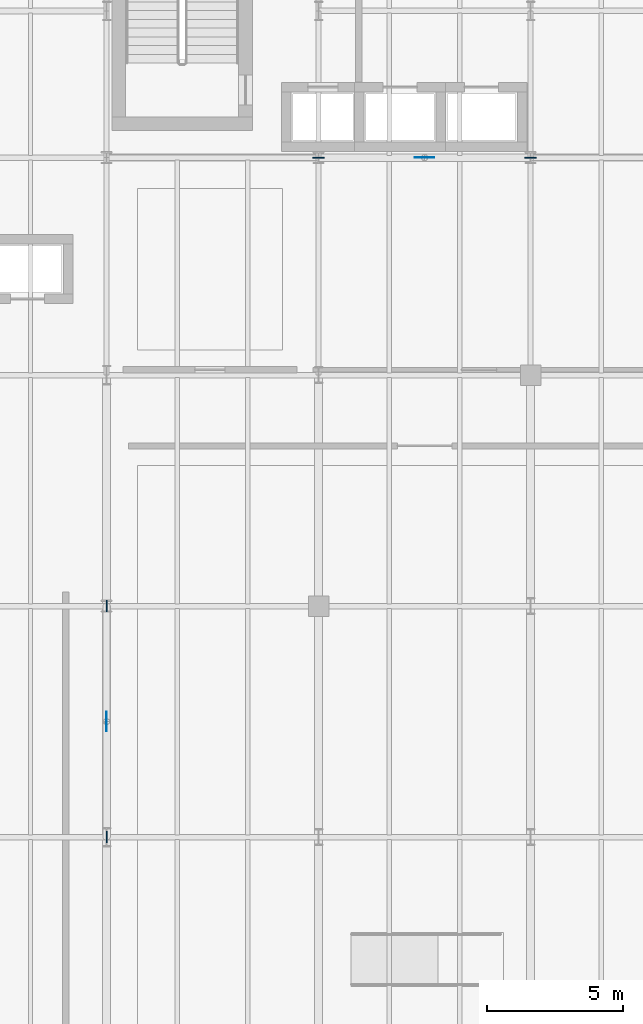
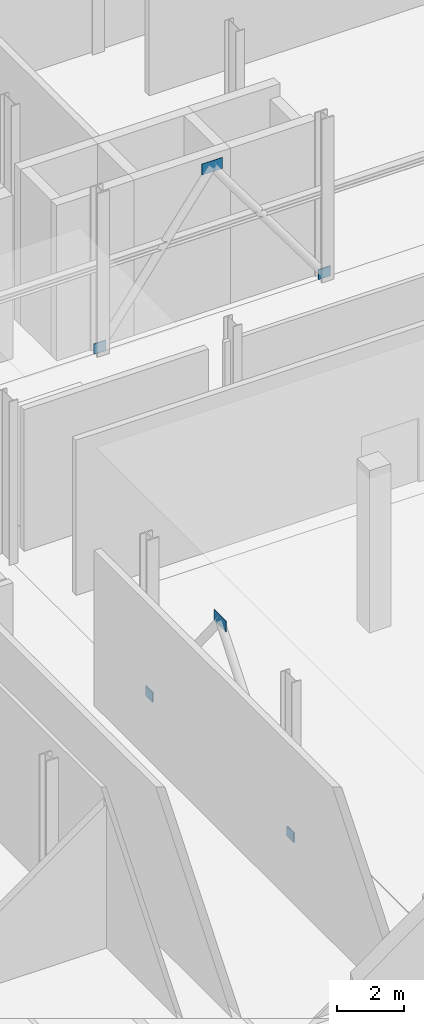
# One storey, part 53 of 84: 6 plates.
"""IFC4 building model written with IfcOpenShell, lengths in metres."""

from ifc_helpers import new_model, si_unit, direction, frame, origin, origin_2d, place, context, subcontext, project, spatial, rectangle, extrude, material, layer, layer_set, type_object, element, save


model = new_model("IFC4")

# Units and contexts
model_context = context("Model", 3, precision=1e-05, world=origin(), true_north=direction((0.0, 1.0)))
body_context = subcontext(model_context, "Body", "Model", "MODEL_VIEW")
ifc_project = project(units=[si_unit("LENGTHUNIT", "METRE"), si_unit("AREAUNIT", "SQUARE_METRE"), si_unit("VOLUMEUNIT", "CUBIC_METRE"), si_unit("PLANEANGLEUNIT", "RADIAN"), si_unit("MASSUNIT", "GRAM", prefix="KILO")], contexts=[model_context])

# Site, building, storey
site_placement = place(None, origin())
site = spatial("IfcSite", under=ifc_project, at=site_placement, CompositionType="ELEMENT")
building_placement = place(site_placement, origin())
building = spatial("IfcBuilding", under=site, at=building_placement, Name="Sefraquen Railside Congress Hotel", CompositionType="ELEMENT")
storey_placement = place(building_placement, origin())
storey = spatial("IfcBuildingStorey", under=building, at=storey_placement, Name="L00", CompositionType="ELEMENT", Elevation=0.0)

# Plates
ifc_material = material(Name="Steel S355J2", Category="steel")
ifc_layer_1 = layer(ifc_material, 0.02001953125)
ifc_layer_set_1 = layer_set([ifc_layer_1], Name="Steel S355J2")
plate_type_1 = type_object("IfcPlateType", Name="TP-GUS-01", PredefinedType="SHEET", material=ifc_layer_set_1)
for number, where, z_axis, x_axis, name in (
    (1, (36.89990234375, 96.0, 5.25), (0.0, 0.0, 1.0), (1.0, 0.0, 0.0), "Chevron braced-frame apex gusset plate BF1 L00"),
    (2, (25.199951171875, 75.25, 5.25), (0.0, 0.0, 1.0), (0.0, 1.0, 0.0), "Chevron braced-frame apex gusset plate BF2 L00"),
):
    element("IfcPlate", number, at=place(storey_placement, frame(where, z_axis=z_axis, x_axis=x_axis)), inside=storey, type_object=plate_type_1, Name=name, PredefinedType="SHEET", context=body_context, shape_type="SweptSolid", body=[
        extrude(rectangle(XDim=0.719970703125, YDim=0.02001953125, at=origin_2d()), origin(), (0.0, 0.0, 1.0), 0.39990234375),
    ])
ifc_layer_2 = layer(ifc_material, 0.0400390625)
ifc_layer_set_2 = layer_set([ifc_layer_2], Name="Steel S355J2")
plate_type_2 = type_object("IfcPlateType", Name="TP-GUS-02", PredefinedType="SHEET", material=ifc_layer_set_2)
for number, where, z_axis, x_axis, name in (
    (3, (33.0, 96.0, 0.0), (0.0, 0.0, 1.0), (1.0, 0.0, 0.0), "Chevron braced-frame base gusset plate BF1-L L00"),
    (4, (40.800048828125, 96.0, 0.0), (0.0, 0.0, 1.0), (1.0, 0.0, 0.0), "Chevron braced-frame base gusset plate BF1-R L00"),
    (5, (25.199951171875, 71.0, 0.0), (0.0, 0.0, 1.0), (0.0, 1.0, 0.0), "Chevron braced-frame base gusset plate BF2-L L00"),
    (6, (25.199951171875, 79.5, 0.0), (0.0, 0.0, 1.0), (0.0, 1.0, 0.0), "Chevron braced-frame base gusset plate BF2-R L00"),
):
    element("IfcPlate", number, at=place(storey_placement, frame(where, z_axis=z_axis, x_axis=x_axis)), inside=storey, type_object=plate_type_2, Name=name, PredefinedType="SHEET", context=body_context, shape_type="SweptSolid", body=[
        extrude(rectangle(XDim=0.419921875, YDim=0.0400390625, at=origin_2d()), origin(), (0.0, 0.0, 1.0), 0.360107421875),
    ])

save(model, "model.ifc")
